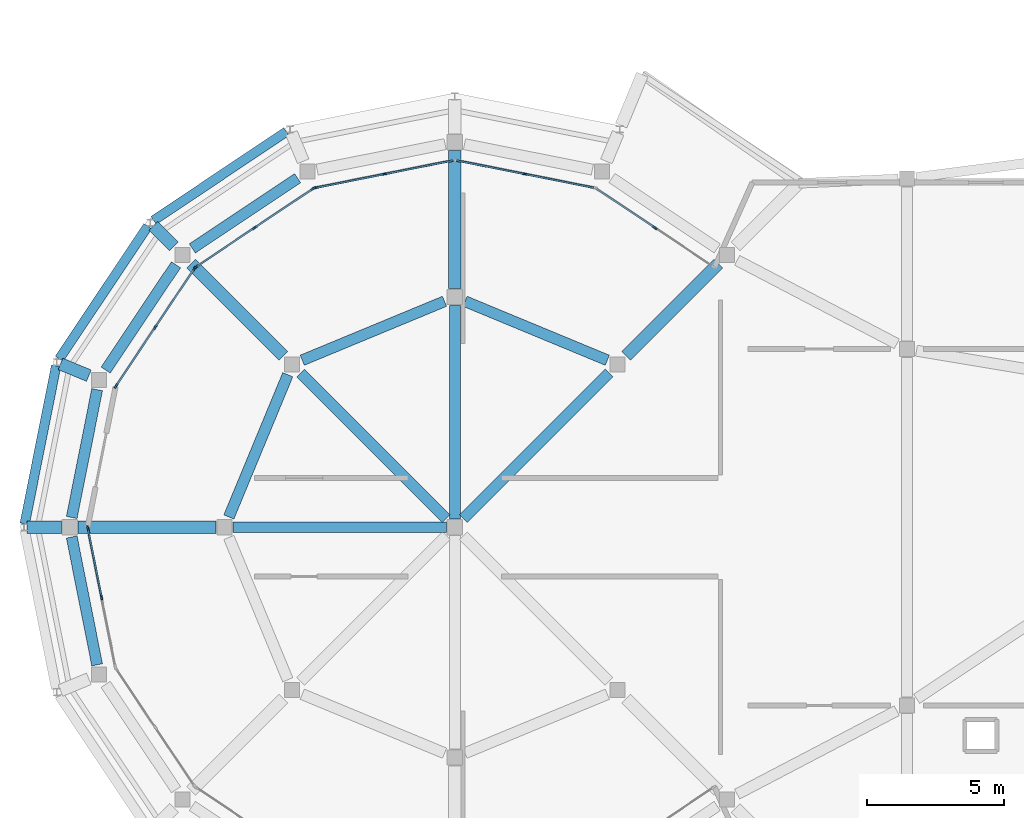
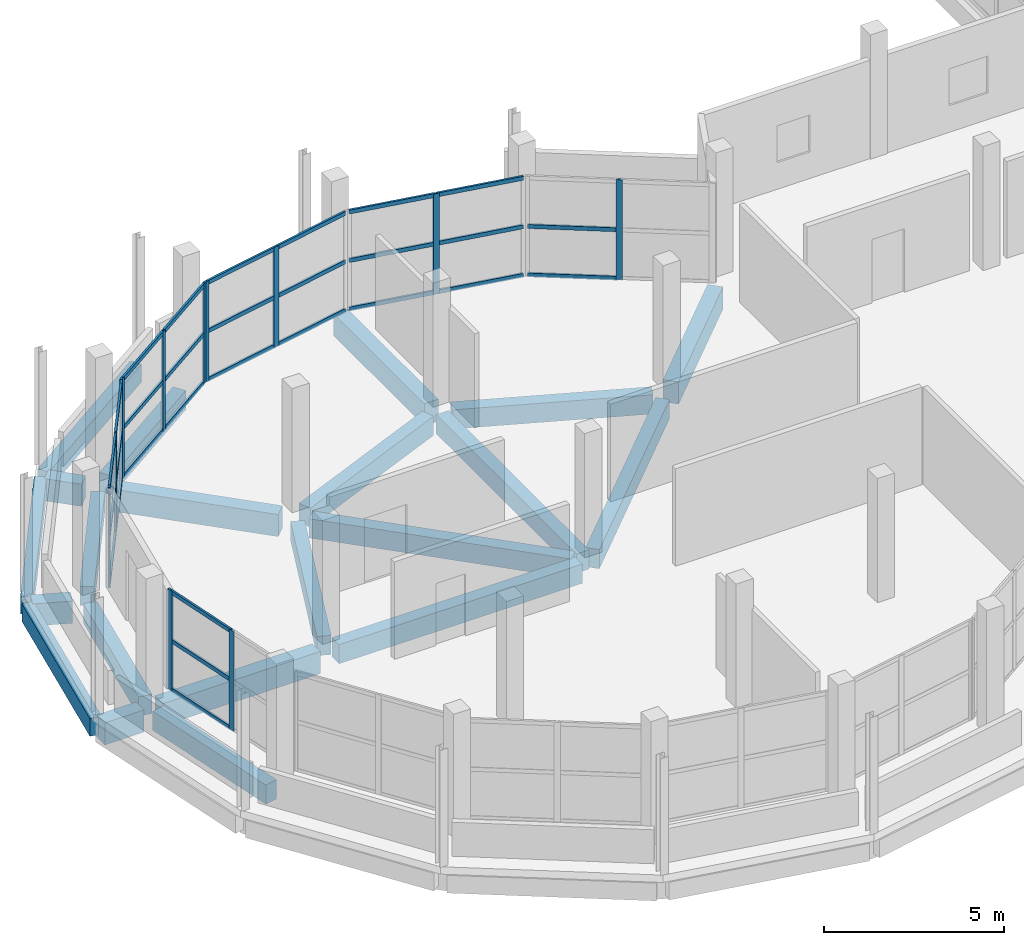
# One storey, part 11 of 63: 41 members, 21 beams, 6 elements without a shape of their own.
"""IFC4 building model written with IfcOpenShell, lengths in metres."""

from ifc_helpers import new_model, si_unit, direction, frame, origin, origin_2d, place, context, subcontext, project, spatial, rectangle, extrude, material, layer, layer_set, material_profile, profile_set, type_object, element, aggregate, save


model = new_model("IFC4")

# Units and contexts
model_context = context("Model", 3, precision=1e-05, world=origin(), true_north=direction((0.0, 1.0)))
body_context = subcontext(model_context, "Body", "Model", "MODEL_VIEW")
ifc_project = project(units=[si_unit("LENGTHUNIT", "METRE"), si_unit("AREAUNIT", "SQUARE_METRE"), si_unit("VOLUMEUNIT", "CUBIC_METRE"), si_unit("PLANEANGLEUNIT", "RADIAN"), si_unit("MASSUNIT", "GRAM", prefix="KILO")], contexts=[model_context])

# Site, building, storey
site_placement = place(None, origin())
site = spatial("IfcSite", under=ifc_project, at=site_placement, CompositionType="ELEMENT")
building_placement = place(site_placement, origin())
building = spatial("IfcBuilding", under=site, at=building_placement, Name="Jelvoka-Kovrelna Polytechnic", CompositionType="ELEMENT")
storey_placement = place(building_placement, frame((0.0, 0.0, 18.0)))
storey = spatial("IfcBuildingStorey", under=building, at=storey_placement, Name="L05", CompositionType="ELEMENT", Elevation=18.0)

# Beams
ifc_material_1 = material(Name="Concrete C40/50", Category="concrete")
ifc_material_profile_1 = material_profile(ifc_material_1, rectangle(XDim=0.39990234375, YDim=0.64990234375, at=origin_2d()), Name="RC 400x650")
ifc_profile_set_1 = profile_set([ifc_material_profile_1], Name="Concrete C40/50")
beam_type_1 = type_object("IfcBeamType", Name="Beam_RC_400x650", PredefinedType="BEAM", material=ifc_profile_set_1)
beam_1_placement = place(storey_placement, frame((25.810791015625, 42.810791015625, -0.574951171875), z_axis=(0.707106781187, 0.707106781187, 0.0), x_axis=(-0.707106781187, 0.707106781187, 0.0)))
element("IfcBeam", 1, at=beam_1_placement, inside=storey, type_object=beam_type_1, Name="L05 beam 2600", PredefinedType="BEAM", context=body_context, shape_type="SweptSolid", body=[
    extrude(rectangle(XDim=0.39990234375, YDim=0.64990234375, at=origin_2d()), origin(), (0.0, 0.0, 1.0), 7.52099609375),
])
beam_2_placement = place(storey_placement, frame((25.5, 42.804931640625, -0.574951171875), z_axis=(0.0, 1.0, 0.0), x_axis=(-1.0, 0.0, 0.0)))
element("IfcBeam", 2, at=beam_2_placement, inside=storey, type_object=beam_type_1, Name="L05 beam 2602", PredefinedType="BEAM", context=body_context, shape_type="SweptSolid", body=[
    extrude(rectangle(XDim=0.39990234375, YDim=0.64990234375, at=origin_2d()), origin(), (0.0, 0.0, 1.0), 7.7900390625),
])
beam_3_placement = place(storey_placement, frame((25.189208984375, 42.810791015625, -0.574951171875), z_axis=(-0.707106781187, 0.707106781187, 0.0), x_axis=(-0.707106781187, -0.707106781187, 0.0)))
element("IfcBeam", 3, at=beam_3_placement, inside=storey, type_object=beam_type_1, Name="L05 beam 2604", PredefinedType="BEAM", context=body_context, shape_type="SweptSolid", body=[
    extrude(rectangle(XDim=0.39990234375, YDim=0.64990234375, at=origin_2d()), origin(), (0.0, 0.0, 1.0), 7.52099609375),
])
beam_4_placement = place(storey_placement, frame((25.195068359375, 42.5, -0.574951171875), z_axis=(-1.0, 0.0, 0.0), x_axis=(0.0, -1.0, 0.0)))
element("IfcBeam", 4, at=beam_4_placement, inside=storey, type_object=beam_type_1, Name="L05 beam 2606", PredefinedType="BEAM", context=body_context, shape_type="SweptSolid", body=[
    extrude(rectangle(XDim=0.39990234375, YDim=0.64990234375, at=origin_2d()), origin(), (0.0, 0.0, 1.0), 7.7900390625),
])
for number, where, z_axis, x_axis, name in (
    (5, (31.06591796875, 48.594482421875, -0.574951171875), (-0.923880758636, 0.382680472226, 0.0), (-0.382680472226, -0.923880758636, 0.0), "L05 beam 2614"),
    (6, (25.126220703125, 50.7451171875, -0.574951171875), (-0.923880758636, -0.382680472226, 0.0), (0.382680472226, -0.923880758636, 0.0), "L05 beam 2615"),
    (7, (19.405517578125, 48.06591796875, -0.574951171875), (-0.382680472226, -0.923880758636, 0.0), (0.923880758636, -0.382680472226, 0.0), "L05 beam 2616"),
):
    element("IfcBeam", number, at=place(storey_placement, frame(where, z_axis=z_axis, x_axis=x_axis)), inside=storey, type_object=beam_type_1, Name=name, PredefinedType="BEAM", context=body_context, shape_type="SweptSolid", body=[
        extrude(rectangle(XDim=0.39990234375, YDim=0.64990234375, at=origin_2d()), origin(), (0.0, 0.0, 1.0), 5.619873046875),
    ])
for number, where, z_axis, x_axis, name in (
    (8, (19.76513671875, 55.2412109375, -0.574951171875), (-0.83148081682, -0.555553463908, 0.0), (0.555553463908, -0.83148081682, 0.0), "L05 beam 2623"),
    (9, (15.32568359375, 52.07666015625, -0.574951171875), (-0.555553463908, -0.83148081682, 0.0), (0.83148081682, -0.555553463908, 0.0), "L05 beam 2624"),
):
    element("IfcBeam", number, at=place(storey_placement, frame(where, z_axis=z_axis, x_axis=x_axis)), inside=storey, type_object=beam_type_1, Name=name, PredefinedType="BEAM", context=body_context, shape_type="SweptSolid", body=[
        extrude(rectangle(XDim=0.39990234375, YDim=0.64990234375, at=origin_2d()), origin(), (0.0, 0.0, 1.0), 4.620361328125),
    ])
for number, where, z_axis, x_axis, name in (
    (10, (12.44873046875, 47.521484375, -0.574951171875), (-0.195050235727, -0.98079325321, 0.0), (0.98079325321, -0.195050235727, 0.0), "L05 beam 2625"),
    (11, (11.520751953125, 42.144775390625, -0.574951171875), (0.195050235727, -0.98079325321, 0.0), (0.98079325321, 0.195050235727, 0.0), "L05 beam 2626"),
):
    element("IfcBeam", number, at=place(storey_placement, frame(where, z_axis=z_axis, x_axis=x_axis)), inside=storey, type_object=beam_type_1, Name=name, PredefinedType="BEAM", context=body_context, shape_type="SweptSolid", body=[
        extrude(rectangle(XDim=0.39990234375, YDim=0.64990234375, at=origin_2d()), origin(), (0.0, 0.0, 1.0), 4.757568359375),
    ])
ifc_material_2 = material(Name="Concrete C40/50", Category="concrete")
ifc_material_profile_2 = material_profile(ifc_material_2, rectangle(XDim=0.449951171875, YDim=0.75, at=origin_2d()), Name="RC 450x750")
ifc_profile_set_2 = profile_set([ifc_material_profile_2], Name="Concrete C40/50")
beam_type_2 = type_object("IfcBeamType", Name="Beam_RC_450x750", PredefinedType="BEAM", material=ifc_profile_set_2)
beam_5_placement = place(storey_placement, frame((31.75048828125, 48.75048828125, -0.625), z_axis=(0.707106781187, 0.707106781187, 0.0), x_axis=(-0.707106781187, 0.707106781187, 0.0)))
element("IfcBeam", 12, at=beam_5_placement, inside=storey, type_object=beam_type_2, Name="L05 beam 2601", PredefinedType="BEAM", context=body_context, shape_type="SweptSolid", body=[
    extrude(rectangle(XDim=0.449951171875, YDim=0.75, at=origin_2d()), origin(), (0.0, 0.0, 1.0), 4.77099609375),
])
beam_6_placement = place(storey_placement, frame((25.5, 51.205078125, -0.625), z_axis=(0.0, 1.0, 0.0), x_axis=(-1.0, 0.0, 0.0)))
element("IfcBeam", 13, at=beam_6_placement, inside=storey, type_object=beam_type_2, Name="L05 beam 2603", PredefinedType="BEAM", context=body_context, shape_type="SweptSolid", body=[
    extrude(rectangle(XDim=0.449951171875, YDim=0.75, at=origin_2d()), origin(), (0.0, 0.0, 1.0), 5.0400390625),
])
beam_7_placement = place(storey_placement, frame((19.24951171875, 48.75048828125, -0.625), z_axis=(-0.707106781187, 0.707106781187, 0.0), x_axis=(-0.707106781187, -0.707106781187, 0.0)))
element("IfcBeam", 14, at=beam_7_placement, inside=storey, type_object=beam_type_2, Name="L05 beam 2605", PredefinedType="BEAM", context=body_context, shape_type="SweptSolid", body=[
    extrude(rectangle(XDim=0.449951171875, YDim=0.75, at=origin_2d()), origin(), (0.0, 0.0, 1.0), 4.77099609375),
])
beam_8_placement = place(storey_placement, frame((16.794921875, 42.5, -0.625), z_axis=(-1.0, 0.0, 0.0), x_axis=(0.0, -1.0, 0.0)))
element("IfcBeam", 15, at=beam_8_placement, inside=storey, type_object=beam_type_2, Name="L05 beam 2607", PredefinedType="BEAM", context=body_context, shape_type="SweptSolid", body=[
    extrude(rectangle(XDim=0.449951171875, YDim=0.75, at=origin_2d()), origin(), (0.0, 0.0, 1.0), 5.0400390625),
])
beam_9_placement = place(storey_placement, frame((15.254150390625, 52.745849609375, -0.625), z_axis=(-0.707106781187, 0.707106781187, 0.0), x_axis=(-0.707106781187, -0.707106781187, 0.0)))
element("IfcBeam", 16, at=beam_9_placement, inside=storey, type_object=beam_type_2, Name="L05 beam 2637", PredefinedType="BEAM", context=body_context, shape_type="SweptSolid", body=[
    extrude(rectangle(XDim=0.449951171875, YDim=0.75, at=origin_2d()), origin(), (0.0, 0.0, 1.0), 1.0703125),
])
beam_10_placement = place(storey_placement, frame((12.145751953125, 48.031494140625, -0.625), z_axis=(-0.923881295129, 0.382679177001, 0.0), x_axis=(-0.382679177001, -0.923881295129, 0.0)))
element("IfcBeam", 17, at=beam_10_placement, inside=storey, type_object=beam_type_2, Name="L05 beam 2638", PredefinedType="BEAM", context=body_context, shape_type="SweptSolid", body=[
    extrude(rectangle(XDim=0.449951171875, YDim=0.75, at=origin_2d()), origin(), (0.0, 0.0, 1.0), 1.11962890625),
])
beam_11_placement = place(storey_placement, frame((11.14501953125, 42.5, -0.625), z_axis=(-1.0, 0.0, 0.0), x_axis=(0.0, -1.0, 0.0)))
element("IfcBeam", 18, at=beam_11_placement, inside=storey, type_object=beam_type_2, Name="L05 beam 2639", PredefinedType="BEAM", context=body_context, shape_type="SweptSolid", body=[
    extrude(rectangle(XDim=0.449951171875, YDim=0.75, at=origin_2d()), origin(), (0.0, 0.0, 1.0), 1.258056640625),
])

# Curtain wall, member
ifc_material_3 = material(Name="Anodised aluminium 6063-T6", Category="aluminium")
ifc_layer = layer(ifc_material_3, 0.179931640625)
ifc_layer_set = layer_set([ifc_layer], Name="Anodised aluminium 6063-T6")
curtain_wall_type = type_object("IfcCurtainWallType", Name="CW_Pavilion", PredefinedType="NOTDEFINED", material=ifc_layer_set)
curtain_wall_1_placement = place(storey_placement, origin())
curtain_wall_1 = element("IfcCurtainWall", 19, at=curtain_wall_1_placement, inside=storey, type_object=curtain_wall_type, Name="L05 glazed curtain wall 255", PredefinedType="NOTDEFINED")
ifc_material_4 = material(Name="Anodised aluminium 6063-T6", Category="aluminium")
ifc_material_profile_3 = material_profile(ifc_material_4, rectangle(XDim=0.06494140625, YDim=0.179931640625, at=origin_2d()), Name="ALU 65x180")
ifc_profile_set_3 = profile_set([ifc_material_profile_3], Name="Anodised aluminium 6063-T6")
member_type_1 = type_object("IfcMemberType", Name="Mullion_M-05", PredefinedType="MULLION", material=ifc_profile_set_3)
member_1_placement = place(storey_placement, frame((32.801513671875, 53.427490234375, -0.02490234375), z_axis=(0.0, 0.0, 1.0), x_axis=(0.555582639326, 0.83146132254, 0.0)))
member_1 = element("IfcMember", 20, at=member_1_placement, type_object=member_type_1, Name="CW-05 mullion 2", PredefinedType="MULLION", context=body_context, shape_type="SweptSolid", body=[
    extrude(rectangle(XDim=0.06494140625, YDim=0.179931640625, at=origin_2d()), origin(), (0.0, 0.0, 1.0), 3.400146484375),
])

curtain_wall_2_placement = place(storey_placement, origin())
curtain_wall_2 = element("IfcCurtainWall", 21, at=curtain_wall_2_placement, inside=storey, type_object=curtain_wall_type, Name="L05 glazed curtain wall 256", PredefinedType="NOTDEFINED")
member_2_placement = place(storey_placement, frame((28.06396484375, 55.389892578125, -0.02490234375), z_axis=(0.0, 0.0, 1.0), x_axis=(0.195086160371, 0.980786108197, 0.0)))
member_2 = element("IfcMember", 22, at=member_2_placement, type_object=member_type_1, Name="CW-05 mullion 2", PredefinedType="MULLION", context=body_context, shape_type="SweptSolid", body=[
    extrude(rectangle(XDim=0.06494140625, YDim=0.179931640625, at=origin_2d()), origin(), (0.0, 0.0, 1.0), 3.400146484375),
])

# Curtain wall, members
curtain_wall_3_placement = place(storey_placement, origin())
curtain_wall_3 = element("IfcCurtainWall", 23, at=curtain_wall_3_placement, inside=storey, type_object=curtain_wall_type, Name="L05 glazed curtain wall 257", PredefinedType="NOTDEFINED")
member_3_placement = place(storey_placement, frame((20.40380859375, 54.88623046875, -0.02490234375), z_axis=(0.0, 0.0, 1.0), x_axis=(-0.195086160371, 0.980786108197, 0.0)))
member_3 = element("IfcMember", 24, at=member_3_placement, type_object=member_type_1, Name="CW-05 mullion 1", PredefinedType="MULLION", context=body_context, shape_type="SweptSolid", body=[
    extrude(rectangle(XDim=0.06494140625, YDim=0.179931640625, at=origin_2d()), origin(), (0.0, 0.0, 1.0), 3.400146484375),
])
member_4_placement = place(storey_placement, frame((22.93603515625, 55.389892578125, -0.02490234375), z_axis=(0.0, 0.0, 1.0), x_axis=(-0.195086160371, 0.980786108197, 0.0)))
member_4 = element("IfcMember", 25, at=member_4_placement, type_object=member_type_1, Name="CW-05 mullion 2", PredefinedType="MULLION", context=body_context, shape_type="SweptSolid", body=[
    extrude(rectangle(XDim=0.06494140625, YDim=0.179931640625, at=origin_2d()), origin(), (0.0, 0.0, 1.0), 3.400146484375),
])

curtain_wall_4_placement = place(storey_placement, origin())
curtain_wall_4 = element("IfcCurtainWall", 26, at=curtain_wall_4_placement, inside=storey, type_object=curtain_wall_type, Name="L05 glazed curtain wall 258", PredefinedType="NOTDEFINED")
member_5_placement = place(storey_placement, frame((16.0517578125, 51.9931640625, -0.02490234375), z_axis=(0.0, 0.0, 1.0), x_axis=(-0.555582639326, 0.83146132254, 0.0)))
member_5 = element("IfcMember", 27, at=member_5_placement, type_object=member_type_1, Name="CW-05 mullion 1", PredefinedType="MULLION", context=body_context, shape_type="SweptSolid", body=[
    extrude(rectangle(XDim=0.06494140625, YDim=0.179931640625, at=origin_2d()), origin(), (0.0, 0.0, 1.0), 3.400146484375),
])
member_6_placement = place(storey_placement, frame((18.198486328125, 53.427490234375, -0.02490234375), z_axis=(0.0, 0.0, 1.0), x_axis=(-0.555582639326, 0.83146132254, 0.0)))
member_6 = element("IfcMember", 28, at=member_6_placement, type_object=member_type_1, Name="CW-05 mullion 2", PredefinedType="MULLION", context=body_context, shape_type="SweptSolid", body=[
    extrude(rectangle(XDim=0.06494140625, YDim=0.179931640625, at=origin_2d()), origin(), (0.0, 0.0, 1.0), 3.400146484375),
])
member_7_placement = place(storey_placement, frame((20.344970703125, 54.862060546875, -0.02490234375), z_axis=(0.0, 0.0, 1.0), x_axis=(-0.555582639326, 0.83146132254, 0.0)))
member_7 = element("IfcMember", 29, at=member_7_placement, type_object=member_type_1, Name="CW-05 mullion 3", PredefinedType="MULLION", context=body_context, shape_type="SweptSolid", body=[
    extrude(rectangle(XDim=0.06494140625, YDim=0.179931640625, at=origin_2d()), origin(), (0.0, 0.0, 1.0), 3.400146484375),
])

curtain_wall_5_placement = place(storey_placement, origin())
curtain_wall_5 = element("IfcCurtainWall", 30, at=curtain_wall_5_placement, inside=storey, type_object=curtain_wall_type, Name="L05 glazed curtain wall 259", PredefinedType="NOTDEFINED")
member_8_placement = place(storey_placement, frame((13.137939453125, 47.655029296875, -0.02490234375), z_axis=(0.0, 0.0, 1.0), x_axis=(-0.83146132254, 0.555582639326, 0.0)))
member_8 = element("IfcMember", 31, at=member_8_placement, type_object=member_type_1, Name="CW-05 mullion 1", PredefinedType="MULLION", context=body_context, shape_type="SweptSolid", body=[
    extrude(rectangle(XDim=0.06494140625, YDim=0.179931640625, at=origin_2d()), origin(), (0.0, 0.0, 1.0), 3.400146484375),
])
member_9_placement = place(storey_placement, frame((14.572509765625, 49.801513671875, -0.02490234375), z_axis=(0.0, 0.0, 1.0), x_axis=(-0.83146132254, 0.555582639326, 0.0)))
member_9 = element("IfcMember", 32, at=member_9_placement, type_object=member_type_1, Name="CW-05 mullion 2", PredefinedType="MULLION", context=body_context, shape_type="SweptSolid", body=[
    extrude(rectangle(XDim=0.06494140625, YDim=0.179931640625, at=origin_2d()), origin(), (0.0, 0.0, 1.0), 3.400146484375),
])
member_10_placement = place(storey_placement, frame((16.0068359375, 51.9482421875, -0.02490234375), z_axis=(0.0, 0.0, 1.0), x_axis=(-0.83146132254, 0.555582639326, 0.0)))
member_10 = element("IfcMember", 33, at=member_10_placement, type_object=member_type_1, Name="CW-05 mullion 3", PredefinedType="MULLION", context=body_context, shape_type="SweptSolid", body=[
    extrude(rectangle(XDim=0.06494140625, YDim=0.179931640625, at=origin_2d()), origin(), (0.0, 0.0, 1.0), 3.400146484375),
])

curtain_wall_6_placement = place(storey_placement, origin())
curtain_wall_6 = element("IfcCurtainWall", 34, at=curtain_wall_6_placement, inside=storey, type_object=curtain_wall_type, Name="L05 glazed curtain wall 260", PredefinedType="NOTDEFINED")
member_11_placement = place(storey_placement, frame((12.610107421875, 39.93603515625, -0.02490234375), z_axis=(0.0, 0.0, 1.0), x_axis=(-0.980786108197, -0.195086160371, 0.0)))
member_11 = element("IfcMember", 35, at=member_11_placement, type_object=member_type_1, Name="CW-05 mullion 2", PredefinedType="MULLION", context=body_context, shape_type="SweptSolid", body=[
    extrude(rectangle(XDim=0.06494140625, YDim=0.179931640625, at=origin_2d()), origin(), (0.0, 0.0, 1.0), 3.400146484375),
])
member_12_placement = place(storey_placement, frame((12.1064453125, 42.468017578125, -0.02490234375), z_axis=(0.0, 0.0, 1.0), x_axis=(-0.980786108197, -0.195086160371, 0.0)))
member_12 = element("IfcMember", 36, at=member_12_placement, type_object=member_type_1, Name="CW-05 mullion 3", PredefinedType="MULLION", context=body_context, shape_type="SweptSolid", body=[
    extrude(rectangle(XDim=0.06494140625, YDim=0.179931640625, at=origin_2d()), origin(), (0.0, 0.0, 1.0), 3.400146484375),
])

# Beams
ifc_material_5 = material(Name="Concrete C40/50", Category="concrete")
ifc_material_profile_4 = material_profile(ifc_material_5, rectangle(XDim=0.35009765625, YDim=0.60009765625, at=origin_2d()), Name="RC 350x600")
ifc_profile_set_4 = profile_set([ifc_material_profile_4], Name="Concrete C40/50")
beam_type_3 = type_object("IfcBeamType", Name="Spandrel_RC_350x600", PredefinedType="SPANDREL", material=ifc_profile_set_4)
for number, where, z_axis, x_axis, name in (
    (37, (19.3544921875, 56.9365234375, -0.550048828125), (-0.831475611635, -0.555561254279, 0.0), (0.555561254279, -0.831475611635, 0.0), "L05 beam 2648"),
    (38, (14.297607421875, 53.48583984375, -0.550048828125), (-0.555561254279, -0.831475611635, 0.0), (0.831475611635, -0.555561254279, 0.0), "L05 beam 2649"),
):
    element("IfcBeam", number, at=place(storey_placement, frame(where, z_axis=z_axis, x_axis=x_axis)), inside=storey, type_object=beam_type_3, Name=name, PredefinedType="SPANDREL", context=body_context, shape_type="SweptSolid", body=[
        extrude(rectangle(XDim=0.35009765625, YDim=0.60009765625, at=origin_2d()), origin(), (0.0, 0.0, 1.0), 5.8212890625),
    ])
beam_12_placement = place(storey_placement, frame((10.951416015625, 48.388916015625, -0.550048828125), z_axis=(-0.195109079005, -0.98078154922, 0.0), x_axis=(0.98078154922, -0.195109079005, 0.0)))
element("IfcBeam", 39, at=beam_12_placement, inside=storey, type_object=beam_type_3, Name="L05 beam 2650", PredefinedType="SPANDREL", context=body_context, shape_type="SweptSolid", body=[
    extrude(rectangle(XDim=0.35009765625, YDim=0.60009765625, at=origin_2d()), origin(), (0.0, 0.0, 1.0), 5.874755859375),
])

# Member
ifc_material_6 = material(Name="Anodised aluminium 6063-T6", Category="aluminium")
ifc_material_profile_5 = material_profile(ifc_material_6, rectangle(XDim=0.06494140625, YDim=0.135009765625, at=origin_2d()), Name="ALU 65x135")
ifc_profile_set_5 = profile_set([ifc_material_profile_5], Name="Anodised aluminium 6063-T6")
member_type_2 = type_object("IfcMemberType", Name="Transom_T-05", PredefinedType="USERDEFINED", material=ifc_profile_set_5)
member_13_placement = place(storey_placement, frame((30.68212890625, 54.843994140625, 0.032470703125), z_axis=(0.831422966795, -0.555640036612, 0.0), x_axis=(0.555640036612, 0.831422966795, 0.0)))
member_13 = element("IfcMember", 40, at=member_13_placement, type_object=member_type_2, Name="CW-05 transom 1.1", ObjectType="TRANSOM", PredefinedType="USERDEFINED", context=body_context, shape_type="SweptSolid", body=[
    extrude(rectangle(XDim=0.06494140625, YDim=0.135009765625, at=origin_2d()), origin(), (0.0, 0.0, 1.0), 2.516845703125),
])

member_14_placement = place(storey_placement, frame((30.68212890625, 54.843994140625, 1.675048828125), z_axis=(0.831422966795, -0.555640036612, 0.0), x_axis=(0.555640036612, 0.831422966795, 0.0)))
member_14 = element("IfcMember", 41, at=member_14_placement, type_object=member_type_2, Name="CW-05 transom 1.2", ObjectType="TRANSOM", PredefinedType="USERDEFINED", context=body_context, shape_type="SweptSolid", body=[
    extrude(rectangle(XDim=0.06494140625, YDim=0.135009765625, at=origin_2d()), origin(), (0.0, 0.0, 1.0), 2.516845703125),
])

aggregate(curtain_wall_1, [member_1, member_13, member_14])

member_15_placement = place(storey_placement, frame((25.563720703125, 55.88720703125, 0.032470703125), z_axis=(0.980789047023, -0.195071384983, 0.0), x_axis=(0.195071384983, 0.980789047023, 0.0)))
member_15 = element("IfcMember", 42, at=member_15_placement, type_object=member_type_2, Name="CW-05 transom 1.1", ObjectType="TRANSOM", PredefinedType="USERDEFINED", context=body_context, shape_type="SweptSolid", body=[
    extrude(rectangle(XDim=0.06494140625, YDim=0.135009765625, at=origin_2d()), origin(), (0.0, 0.0, 1.0), 2.516845703125),
])

member_16_placement = place(storey_placement, frame((25.563720703125, 55.88720703125, 1.675048828125), z_axis=(0.980789047023, -0.195071384983, 0.0), x_axis=(0.195071384983, 0.980789047023, 0.0)))
member_16 = element("IfcMember", 43, at=member_16_placement, type_object=member_type_2, Name="CW-05 transom 1.2", ObjectType="TRANSOM", PredefinedType="USERDEFINED", context=body_context, shape_type="SweptSolid", body=[
    extrude(rectangle(XDim=0.06494140625, YDim=0.135009765625, at=origin_2d()), origin(), (0.0, 0.0, 1.0), 2.516845703125),
])

member_17_placement = place(storey_placement, frame((25.563720703125, 55.88720703125, 3.3173828125), z_axis=(0.980789047023, -0.195071384983, 0.0), x_axis=(0.195071384983, 0.980789047023, 0.0)))
member_17 = element("IfcMember", 44, at=member_17_placement, type_object=member_type_2, Name="CW-05 transom 1.3", ObjectType="TRANSOM", PredefinedType="USERDEFINED", context=body_context, shape_type="SweptSolid", body=[
    extrude(rectangle(XDim=0.06494140625, YDim=0.135009765625, at=origin_2d()), origin(), (0.0, 0.0, 1.0), 2.516845703125),
])

member_18_placement = place(storey_placement, frame((28.095947265625, 55.383544921875, 0.032470703125), z_axis=(0.980785355287, -0.195089945547, 0.0), x_axis=(0.195089945547, 0.980785355287, 0.0)))
member_18 = element("IfcMember", 45, at=member_18_placement, type_object=member_type_2, Name="CW-05 transom 2.1", ObjectType="TRANSOM", PredefinedType="USERDEFINED", context=body_context, shape_type="SweptSolid", body=[
    extrude(rectangle(XDim=0.06494140625, YDim=0.135009765625, at=origin_2d()), origin(), (0.0, 0.0, 1.0), 2.5166015625),
])

member_19_placement = place(storey_placement, frame((28.095947265625, 55.383544921875, 1.675048828125), z_axis=(0.980785355287, -0.195089945547, 0.0), x_axis=(0.195089945547, 0.980785355287, 0.0)))
member_19 = element("IfcMember", 46, at=member_19_placement, type_object=member_type_2, Name="CW-05 transom 2.2", ObjectType="TRANSOM", PredefinedType="USERDEFINED", context=body_context, shape_type="SweptSolid", body=[
    extrude(rectangle(XDim=0.06494140625, YDim=0.135009765625, at=origin_2d()), origin(), (0.0, 0.0, 1.0), 2.5166015625),
])

member_20_placement = place(storey_placement, frame((28.095947265625, 55.383544921875, 3.3173828125), z_axis=(0.980785355287, -0.195089945547, 0.0), x_axis=(0.195089945547, 0.980785355287, 0.0)))
member_20 = element("IfcMember", 47, at=member_20_placement, type_object=member_type_2, Name="CW-05 transom 2.3", ObjectType="TRANSOM", PredefinedType="USERDEFINED", context=body_context, shape_type="SweptSolid", body=[
    extrude(rectangle(XDim=0.06494140625, YDim=0.135009765625, at=origin_2d()), origin(), (0.0, 0.0, 1.0), 2.5166015625),
])

aggregate(curtain_wall_2, [member_2, member_15, member_16, member_17, member_18, member_19, member_20])

member_21_placement = place(storey_placement, frame((20.435791015625, 54.892578125, 0.032470703125), z_axis=(0.980785355287, 0.195089945547, 0.0), x_axis=(-0.195089945547, 0.980785355287, 0.0)))
member_21 = element("IfcMember", 48, at=member_21_placement, type_object=member_type_2, Name="CW-05 transom 1.1", ObjectType="TRANSOM", PredefinedType="USERDEFINED", context=body_context, shape_type="SweptSolid", body=[
    extrude(rectangle(XDim=0.06494140625, YDim=0.135009765625, at=origin_2d()), origin(), (0.0, 0.0, 1.0), 2.5166015625),
])

member_22_placement = place(storey_placement, frame((20.435791015625, 54.892578125, 1.675048828125), z_axis=(0.980785355287, 0.195089945547, 0.0), x_axis=(-0.195089945547, 0.980785355287, 0.0)))
member_22 = element("IfcMember", 49, at=member_22_placement, type_object=member_type_2, Name="CW-05 transom 1.2", ObjectType="TRANSOM", PredefinedType="USERDEFINED", context=body_context, shape_type="SweptSolid", body=[
    extrude(rectangle(XDim=0.06494140625, YDim=0.135009765625, at=origin_2d()), origin(), (0.0, 0.0, 1.0), 2.5166015625),
])

member_23_placement = place(storey_placement, frame((20.435791015625, 54.892578125, 3.3173828125), z_axis=(0.980785355287, 0.195089945547, 0.0), x_axis=(-0.195089945547, 0.980785355287, 0.0)))
member_23 = element("IfcMember", 50, at=member_23_placement, type_object=member_type_2, Name="CW-05 transom 1.3", ObjectType="TRANSOM", PredefinedType="USERDEFINED", context=body_context, shape_type="SweptSolid", body=[
    extrude(rectangle(XDim=0.06494140625, YDim=0.135009765625, at=origin_2d()), origin(), (0.0, 0.0, 1.0), 2.5166015625),
])

member_24_placement = place(storey_placement, frame((22.9677734375, 55.396240234375, 0.032470703125), z_axis=(0.980789047023, 0.195071384983, 0.0), x_axis=(-0.195071384983, 0.980789047023, 0.0)))
member_24 = element("IfcMember", 51, at=member_24_placement, type_object=member_type_2, Name="CW-05 transom 2.1", ObjectType="TRANSOM", PredefinedType="USERDEFINED", context=body_context, shape_type="SweptSolid", body=[
    extrude(rectangle(XDim=0.06494140625, YDim=0.135009765625, at=origin_2d()), origin(), (0.0, 0.0, 1.0), 2.516845703125),
])

member_25_placement = place(storey_placement, frame((22.9677734375, 55.396240234375, 1.675048828125), z_axis=(0.980789047023, 0.195071384983, 0.0), x_axis=(-0.195071384983, 0.980789047023, 0.0)))
member_25 = element("IfcMember", 52, at=member_25_placement, type_object=member_type_2, Name="CW-05 transom 2.2", ObjectType="TRANSOM", PredefinedType="USERDEFINED", context=body_context, shape_type="SweptSolid", body=[
    extrude(rectangle(XDim=0.06494140625, YDim=0.135009765625, at=origin_2d()), origin(), (0.0, 0.0, 1.0), 2.516845703125),
])

member_26_placement = place(storey_placement, frame((22.9677734375, 55.396240234375, 3.3173828125), z_axis=(0.980789047023, 0.195071384983, 0.0), x_axis=(-0.195071384983, 0.980789047023, 0.0)))
member_26 = element("IfcMember", 53, at=member_26_placement, type_object=member_type_2, Name="CW-05 transom 2.3", ObjectType="TRANSOM", PredefinedType="USERDEFINED", context=body_context, shape_type="SweptSolid", body=[
    extrude(rectangle(XDim=0.06494140625, YDim=0.135009765625, at=origin_2d()), origin(), (0.0, 0.0, 1.0), 2.516845703125),
])

aggregate(curtain_wall_3, [member_3, member_4, member_21, member_22, member_23, member_24, member_25, member_26])

member_27_placement = place(storey_placement, frame((16.078857421875, 52.01123046875, 0.032470703125), z_axis=(0.831467779718, 0.555572975667, 0.0), x_axis=(-0.555572975667, 0.831467779718, 0.0)))
member_27 = element("IfcMember", 54, at=member_27_placement, type_object=member_type_2, Name="CW-05 transom 1.1", ObjectType="TRANSOM", PredefinedType="USERDEFINED", context=body_context, shape_type="SweptSolid", body=[
    extrude(rectangle(XDim=0.06494140625, YDim=0.135009765625, at=origin_2d()), origin(), (0.0, 0.0, 1.0), 2.5166015625),
])

member_28_placement = place(storey_placement, frame((16.078857421875, 52.01123046875, 1.675048828125), z_axis=(0.831467779718, 0.555572975667, 0.0), x_axis=(-0.555572975667, 0.831467779718, 0.0)))
member_28 = element("IfcMember", 55, at=member_28_placement, type_object=member_type_2, Name="CW-05 transom 1.2", ObjectType="TRANSOM", PredefinedType="USERDEFINED", context=body_context, shape_type="SweptSolid", body=[
    extrude(rectangle(XDim=0.06494140625, YDim=0.135009765625, at=origin_2d()), origin(), (0.0, 0.0, 1.0), 2.5166015625),
])

member_29_placement = place(storey_placement, frame((16.078857421875, 52.01123046875, 3.3173828125), z_axis=(0.831467779718, 0.555572975667, 0.0), x_axis=(-0.555572975667, 0.831467779718, 0.0)))
member_29 = element("IfcMember", 56, at=member_29_placement, type_object=member_type_2, Name="CW-05 transom 1.3", ObjectType="TRANSOM", PredefinedType="USERDEFINED", context=body_context, shape_type="SweptSolid", body=[
    extrude(rectangle(XDim=0.06494140625, YDim=0.135009765625, at=origin_2d()), origin(), (0.0, 0.0, 1.0), 2.5166015625),
])

member_30_placement = place(storey_placement, frame((18.225341796875, 53.445556640625, 0.032470703125), z_axis=(0.831422966795, 0.555640036612, 0.0), x_axis=(-0.555640036612, 0.831422966795, 0.0)))
member_30 = element("IfcMember", 57, at=member_30_placement, type_object=member_type_2, Name="CW-05 transom 2.1", ObjectType="TRANSOM", PredefinedType="USERDEFINED", context=body_context, shape_type="SweptSolid", body=[
    extrude(rectangle(XDim=0.06494140625, YDim=0.135009765625, at=origin_2d()), origin(), (0.0, 0.0, 1.0), 2.516845703125),
])

member_31_placement = place(storey_placement, frame((18.225341796875, 53.445556640625, 1.675048828125), z_axis=(0.831422966795, 0.555640036612, 0.0), x_axis=(-0.555640036612, 0.831422966795, 0.0)))
member_31 = element("IfcMember", 58, at=member_31_placement, type_object=member_type_2, Name="CW-05 transom 2.2", ObjectType="TRANSOM", PredefinedType="USERDEFINED", context=body_context, shape_type="SweptSolid", body=[
    extrude(rectangle(XDim=0.06494140625, YDim=0.135009765625, at=origin_2d()), origin(), (0.0, 0.0, 1.0), 2.516845703125),
])

member_32_placement = place(storey_placement, frame((18.225341796875, 53.445556640625, 3.3173828125), z_axis=(0.831422966795, 0.555640036612, 0.0), x_axis=(-0.555640036612, 0.831422966795, 0.0)))
member_32 = element("IfcMember", 59, at=member_32_placement, type_object=member_type_2, Name="CW-05 transom 2.3", ObjectType="TRANSOM", PredefinedType="USERDEFINED", context=body_context, shape_type="SweptSolid", body=[
    extrude(rectangle(XDim=0.06494140625, YDim=0.135009765625, at=origin_2d()), origin(), (0.0, 0.0, 1.0), 2.516845703125),
])

aggregate(curtain_wall_4, [member_5, member_6, member_7, member_27, member_28, member_29, member_30, member_31, member_32])

member_33_placement = place(storey_placement, frame((13.156005859375, 47.68212890625, 0.032470703125), z_axis=(0.555640036612, 0.831422966795, 0.0), x_axis=(-0.831422966795, 0.555640036612, 0.0)))
member_33 = element("IfcMember", 60, at=member_33_placement, type_object=member_type_2, Name="CW-05 transom 1.1", ObjectType="TRANSOM", PredefinedType="USERDEFINED", context=body_context, shape_type="SweptSolid", body=[
    extrude(rectangle(XDim=0.06494140625, YDim=0.135009765625, at=origin_2d()), origin(), (0.0, 0.0, 1.0), 2.516845703125),
])

member_34_placement = place(storey_placement, frame((13.156005859375, 47.68212890625, 1.675048828125), z_axis=(0.555640036612, 0.831422966795, 0.0), x_axis=(-0.831422966795, 0.555640036612, 0.0)))
member_34 = element("IfcMember", 61, at=member_34_placement, type_object=member_type_2, Name="CW-05 transom 1.2", ObjectType="TRANSOM", PredefinedType="USERDEFINED", context=body_context, shape_type="SweptSolid", body=[
    extrude(rectangle(XDim=0.06494140625, YDim=0.135009765625, at=origin_2d()), origin(), (0.0, 0.0, 1.0), 2.516845703125),
])

member_35_placement = place(storey_placement, frame((13.156005859375, 47.68212890625, 3.3173828125), z_axis=(0.555640036612, 0.831422966795, 0.0), x_axis=(-0.831422966795, 0.555640036612, 0.0)))
member_35 = element("IfcMember", 62, at=member_35_placement, type_object=member_type_2, Name="CW-05 transom 1.3", ObjectType="TRANSOM", PredefinedType="USERDEFINED", context=body_context, shape_type="SweptSolid", body=[
    extrude(rectangle(XDim=0.06494140625, YDim=0.135009765625, at=origin_2d()), origin(), (0.0, 0.0, 1.0), 2.516845703125),
])

member_36_placement = place(storey_placement, frame((14.590576171875, 49.82861328125, 0.032470703125), z_axis=(0.555572975667, 0.831467779718, 0.0), x_axis=(-0.831467779718, 0.555572975667, 0.0)))
member_36 = element("IfcMember", 63, at=member_36_placement, type_object=member_type_2, Name="CW-05 transom 2.1", ObjectType="TRANSOM", PredefinedType="USERDEFINED", context=body_context, shape_type="SweptSolid", body=[
    extrude(rectangle(XDim=0.06494140625, YDim=0.135009765625, at=origin_2d()), origin(), (0.0, 0.0, 1.0), 2.5166015625),
])

member_37_placement = place(storey_placement, frame((14.590576171875, 49.82861328125, 1.675048828125), z_axis=(0.555572975667, 0.831467779718, 0.0), x_axis=(-0.831467779718, 0.555572975667, 0.0)))
member_37 = element("IfcMember", 64, at=member_37_placement, type_object=member_type_2, Name="CW-05 transom 2.2", ObjectType="TRANSOM", PredefinedType="USERDEFINED", context=body_context, shape_type="SweptSolid", body=[
    extrude(rectangle(XDim=0.06494140625, YDim=0.135009765625, at=origin_2d()), origin(), (0.0, 0.0, 1.0), 2.5166015625),
])

member_38_placement = place(storey_placement, frame((14.590576171875, 49.82861328125, 3.3173828125), z_axis=(0.555572975667, 0.831467779718, 0.0), x_axis=(-0.831467779718, 0.555572975667, 0.0)))
member_38 = element("IfcMember", 65, at=member_38_placement, type_object=member_type_2, Name="CW-05 transom 2.3", ObjectType="TRANSOM", PredefinedType="USERDEFINED", context=body_context, shape_type="SweptSolid", body=[
    extrude(rectangle(XDim=0.06494140625, YDim=0.135009765625, at=origin_2d()), origin(), (0.0, 0.0, 1.0), 2.5166015625),
])

aggregate(curtain_wall_5, [member_8, member_9, member_10, member_33, member_34, member_35, member_36, member_37, member_38])

member_39_placement = place(storey_placement, frame((12.603759765625, 39.9677734375, 0.032470703125), z_axis=(-0.195071384983, 0.980789047023, 0.0), x_axis=(-0.980789047023, -0.195071384983, 0.0)))
member_39 = element("IfcMember", 66, at=member_39_placement, type_object=member_type_2, Name="CW-05 transom 2.1", ObjectType="TRANSOM", PredefinedType="USERDEFINED", context=body_context, shape_type="SweptSolid", body=[
    extrude(rectangle(XDim=0.06494140625, YDim=0.135009765625, at=origin_2d()), origin(), (0.0, 0.0, 1.0), 2.516845703125),
])

member_40_placement = place(storey_placement, frame((12.603759765625, 39.9677734375, 1.675048828125), z_axis=(-0.195071384983, 0.980789047023, 0.0), x_axis=(-0.980789047023, -0.195071384983, 0.0)))
member_40 = element("IfcMember", 67, at=member_40_placement, type_object=member_type_2, Name="CW-05 transom 2.2", ObjectType="TRANSOM", PredefinedType="USERDEFINED", context=body_context, shape_type="SweptSolid", body=[
    extrude(rectangle(XDim=0.06494140625, YDim=0.135009765625, at=origin_2d()), origin(), (0.0, 0.0, 1.0), 2.516845703125),
])

member_41_placement = place(storey_placement, frame((12.603759765625, 39.9677734375, 3.3173828125), z_axis=(-0.195071384983, 0.980789047023, 0.0), x_axis=(-0.980789047023, -0.195071384983, 0.0)))
member_41 = element("IfcMember", 68, at=member_41_placement, type_object=member_type_2, Name="CW-05 transom 2.3", ObjectType="TRANSOM", PredefinedType="USERDEFINED", context=body_context, shape_type="SweptSolid", body=[
    extrude(rectangle(XDim=0.06494140625, YDim=0.135009765625, at=origin_2d()), origin(), (0.0, 0.0, 1.0), 2.516845703125),
])

aggregate(curtain_wall_6, [member_11, member_12, member_39, member_40, member_41])

save(model, "model.ifc")
